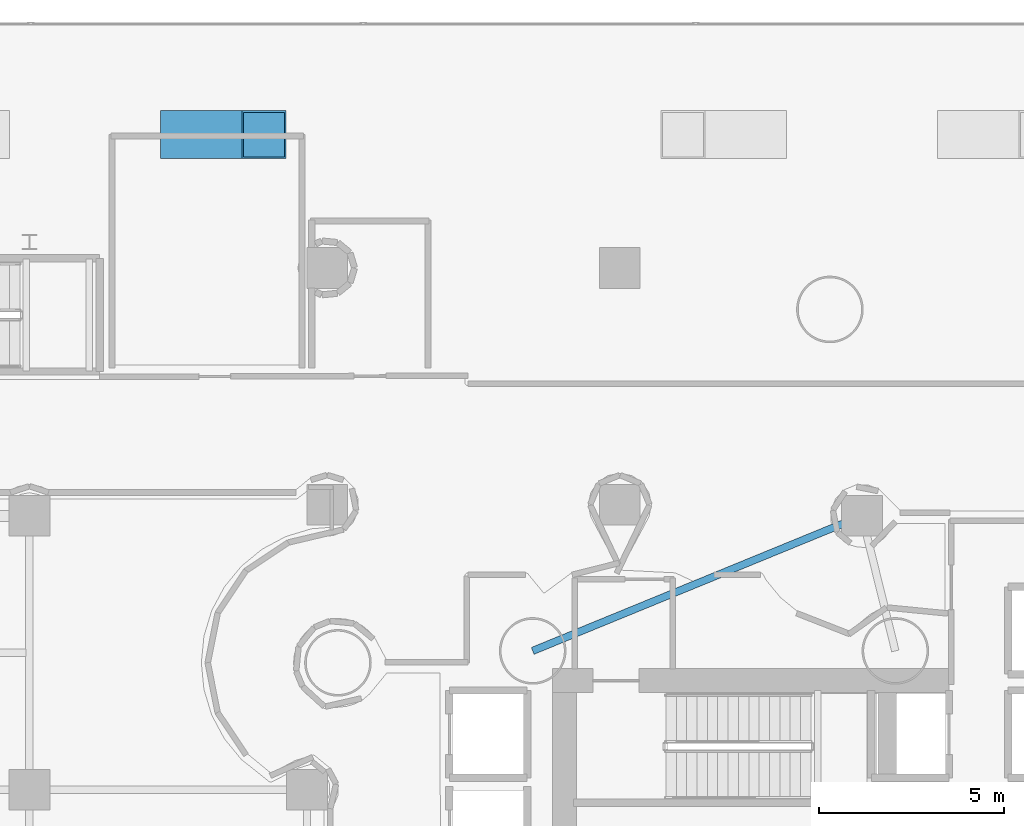
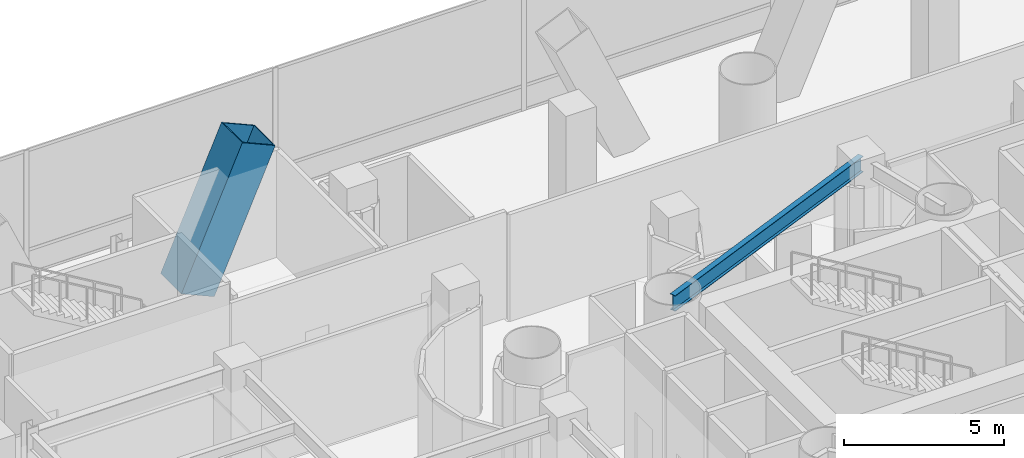
# One storey, part 18 of 42: 1 beam, 1 member.
"""IFC4 building model written with IfcOpenShell, lengths in metres."""

from ifc_helpers import new_model, si_unit, direction, frame, origin, origin_2d, place, context, subcontext, project, spatial, hollow_rectangle, i_section, extrude, material, material_profile, profile_set, type_object, element, save


model = new_model("IFC4")

# Units and contexts
model_context = context("Model", 3, precision=1e-05, world=origin(), true_north=direction((0.0, 1.0)))
body_context = subcontext(model_context, "Body", "Model", "MODEL_VIEW")
ifc_project = project(units=[si_unit("LENGTHUNIT", "METRE"), si_unit("AREAUNIT", "SQUARE_METRE"), si_unit("VOLUMEUNIT", "CUBIC_METRE"), si_unit("PLANEANGLEUNIT", "RADIAN"), si_unit("MASSUNIT", "GRAM", prefix="KILO")], contexts=[model_context])

# Site, building, storey
site_placement = place(None, origin())
site = spatial("IfcSite", under=ifc_project, at=site_placement, CompositionType="ELEMENT")
building_placement = place(site_placement, origin())
building = spatial("IfcBuilding", under=site, at=building_placement, Name="Qianvela Tower", CompositionType="ELEMENT")
storey_placement = place(building_placement, frame((0.0, 0.0, 6.0)))
storey = spatial("IfcBuildingStorey", under=building, at=storey_placement, Name="L01", CompositionType="ELEMENT", Elevation=6.0)

# Beam
ifc_material_1 = material(Name="Steel Q355B", Category="steel")
ifc_material_profile_1 = material_profile(ifc_material_1, i_section(OverallWidth=0.199951171875, OverallDepth=0.60009765625, WebThickness=0.010986328125, FlangeThickness=0.01708984375, at=origin_2d()), Name="HN600x200x11x17")
ifc_profile_set_1 = profile_set([ifc_material_profile_1], Name="Steel Q355B")
beam_type = type_object("IfcBeamType", Name="BM-HN600-GIRD", PredefinedType="BEAM", material=ifc_profile_set_1)
beam_placement = place(storey_placement, frame((28.60009765625, 33.550048828125, 4.47802734375), z_axis=(0.925217514763, 0.379437149441, 0.0), x_axis=(-0.379437149441, 0.925217514763, 0.0)))
element("IfcBeam", 1, at=beam_placement, inside=storey, type_object=beam_type, Name="L01 Core Tie Girder 36", PredefinedType="BEAM", context=body_context, shape_type="SweptSolid", body=[
    extrude(i_section(OverallWidth=0.199951171875, OverallDepth=0.60009765625, WebThickness=0.010986328125, FlangeThickness=0.01708984375, at=origin_2d()), origin(), (0.0, 0.0, 1.0), 9.619140625),
])

# Member
ifc_material_2 = material(Name="Steel Q420GJC", Category="steel")
ifc_material_profile_2 = material_profile(ifc_material_2, hollow_rectangle(XDim=1.300048828125, YDim=1.300048828125, WallThickness=0.044921875, at=origin_2d()), Name="VBOX-1300x1300x45")
ifc_profile_set_2 = profile_set([ifc_material_profile_2], Name="Steel Q420GJC")
member_type = type_object("IfcMemberType", Name="MBR-VCOL-1300", PredefinedType="POST", material=ifc_profile_set_2)
member_placement = place(storey_placement, frame((19.139404296875, 47.5, 0.0), z_axis=(0.402618783225, 0.0, 0.915367748719), x_axis=(0.0, 1.0, 0.0)))
element("IfcMember", 2, at=member_placement, inside=storey, type_object=member_type, Name="L01 Concourse Inclined V-Column VC-N1 Leg R", PredefinedType="POST", context=body_context, shape_type="SweptSolid", body=[
    extrude(hollow_rectangle(XDim=1.300048828125, YDim=1.300048828125, WallThickness=0.044921875, at=origin_2d()), origin(), (0.0, 0.0, 1.0), 5.46240234375),
])

save(model, "model.ifc")
